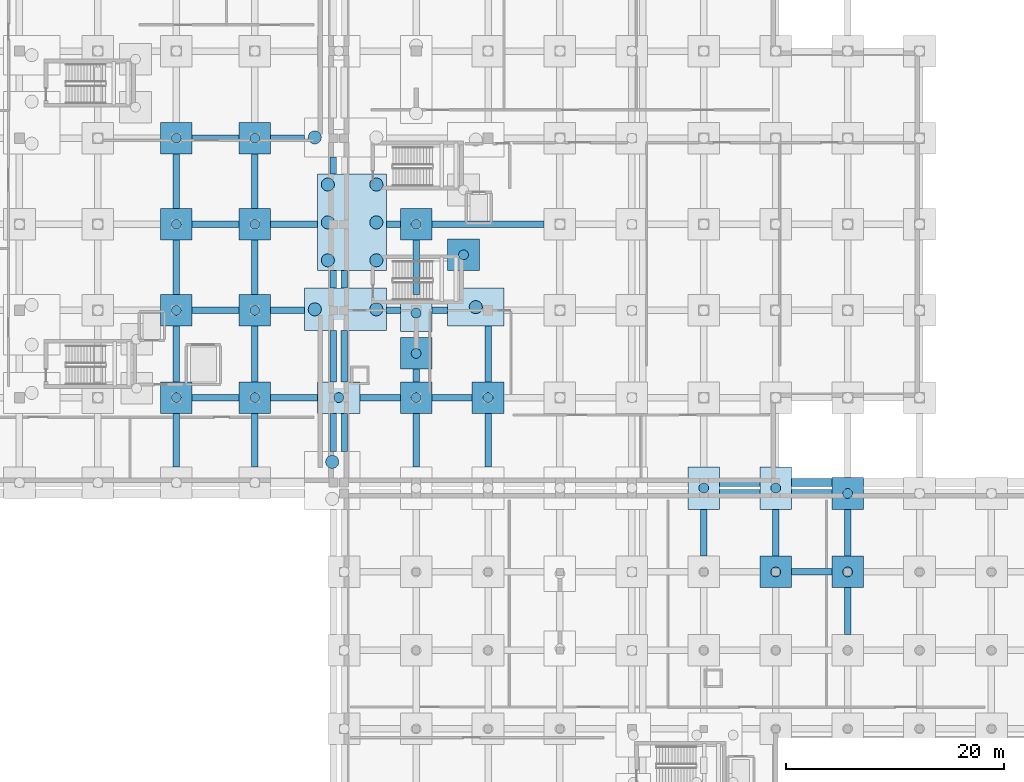
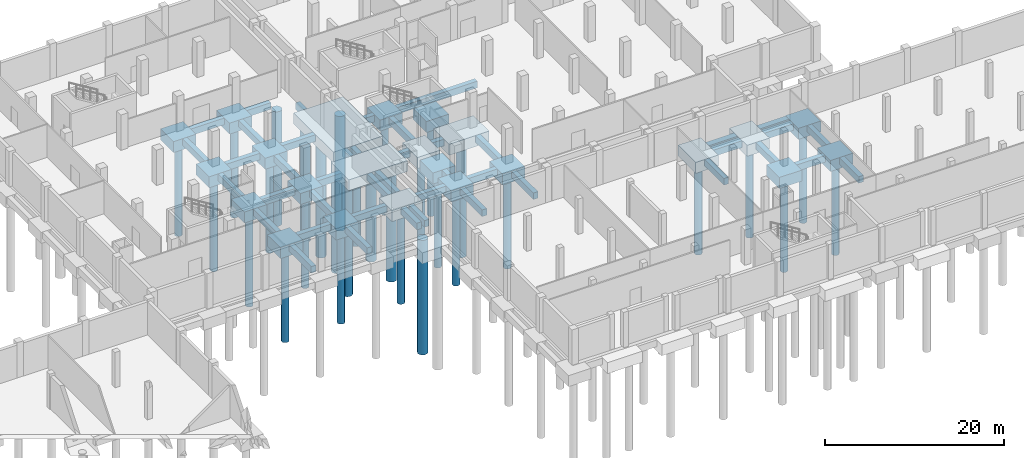
# One storey, part 5 of 29: 66 footings, 31 piles.
"""IFC4 building model written with IfcOpenShell, lengths in metres."""

from ifc_helpers import new_model, si_unit, direction, frame, origin, origin_2d, place, context, subcontext, project, spatial, polyline, rectangle, circle, outline, extrude, material, material_profile, profile_set, type_object, element, save


model = new_model("IFC4")

# Units and contexts
model_context = context("Model", 3, precision=1e-05, world=origin(), true_north=direction((0.0, 1.0)))
body_context = subcontext(model_context, "Body", "Model", "MODEL_VIEW")
ifc_project = project(units=[si_unit("LENGTHUNIT", "METRE"), si_unit("AREAUNIT", "SQUARE_METRE"), si_unit("VOLUMEUNIT", "CUBIC_METRE"), si_unit("PLANEANGLEUNIT", "RADIAN"), si_unit("MASSUNIT", "GRAM", prefix="KILO")], contexts=[model_context])

# Site, building, storey
site_placement = place(None, origin())
site = spatial("IfcSite", under=ifc_project, at=site_placement, CompositionType="ELEMENT")
building_placement = place(site_placement, origin())
building = spatial("IfcBuilding", under=site, at=building_placement, Name="Kelarvand Opera House", CompositionType="ELEMENT")
storey_placement = place(building_placement, frame((0.0, 0.0, -9.60009765625)))
storey = spatial("IfcBuildingStorey", under=building, at=storey_placement, Name="B2", CompositionType="ELEMENT", Elevation=-9.60009765625)

# Piles
ifc_material = material(Name="Concrete C40/50", Category="concrete")
ifc_material_profile_1 = material_profile(ifc_material, circle(Radius=0.60009765625, at=origin_2d()), Name="BP 1200", Category="concrete")
ifc_profile_set_1 = profile_set([ifc_material_profile_1], Name="Concrete C40/50")
pile_type_1 = type_object("IfcPileType", Name="Bored Pile 1200 Concrete C40/50", PredefinedType="BORED", material=ifc_profile_set_1)
for number, where, z_axis, x_axis, name in (
    (1, (87.89990234375, 40.699951171875, -1.7998046875), (0.0, 0.0, -1.0), (1.0, 0.0, 0.0), "V1 Bored Pile 98"),
    (2, (86.300048828125, 54.699951171875, -1.7998046875), (0.0, 0.0, -1.0), (1.0, 0.0, 0.0), "V1 Bored Pile 138"),
    (3, (91.949951171875, 54.699951171875, -1.7998046875), (0.0, 0.0, -1.0), (1.0, 0.0, 0.0), "V1 Bored Pile 139"),
    (4, (101.074951171875, 54.89990234375, -1.7998046875), (0.0, 0.0, -1.0), (1.0, 0.0, 0.0), "V1 Bored Pile 147"),
    (5, (87.5, 59.199951171875, -1.7998046875), (0.0, 0.0, -1.0), (1.0, 0.0, 0.0), "V1 Bored Pile 154"),
    (6, (87.5, 62.675048828125, -1.7998046875), (0.0, 0.0, -1.0), (1.0, 0.0, 0.0), "V1 Bored Pile 155"),
    (7, (87.5, 66.14990234375, -1.7998046875), (0.0, 0.0, -1.0), (1.0, 0.0, 0.0), "V1 Bored Pile 156"),
    (8, (91.949951171875, 59.199951171875, -1.7998046875), (0.0, 0.0, -1.0), (1.0, 0.0, 0.0), "V1 Bored Pile 157"),
    (9, (91.949951171875, 62.675048828125, -1.7998046875), (0.0, 0.0, -1.0), (1.0, 0.0, 0.0), "V1 Bored Pile 158"),
    (10, (91.949951171875, 66.14990234375, -1.7998046875), (0.0, 0.0, -1.0), (1.0, 0.0, 0.0), "V1 Bored Pile 159"),
    (11, (86.300048828125, 70.47509765625, -1.7998046875), (0.0, 0.0, -1.0), (1.0, 0.0, 0.0), "V1 Bored Pile 177"),
):
    element("IfcPile", number, at=place(storey_placement, frame(where, z_axis=z_axis, x_axis=x_axis)), inside=storey, type_object=pile_type_1, Name=name, PredefinedType="BORED", context=body_context, shape_type="SweptSolid", body=[
        extrude(circle(Radius=0.60009765625, at=origin_2d()), origin(), (0.0, 0.0, 1.0), 15.60009765625),
    ])
ifc_material_profile_2 = material_profile(ifc_material, circle(Radius=0.449951171875, at=origin_2d()), Name="BP 900", Category="concrete")
ifc_profile_set_2 = profile_set([ifc_material_profile_2], Name="Concrete C40/50")
pile_type_2 = type_object("IfcPileType", Name="Bored Pile 900 Concrete C40/50", PredefinedType="BORED", material=ifc_profile_set_2)
for number, where, z_axis, x_axis, name in (
    (12, (128.60009765625, 30.60009765625, -1.7998046875), (0.0, 0.0, -1.0), (1.0, 0.0, 0.0), "V6 Bored Pile 83"),
    (13, (135.199951171875, 30.60009765625, -1.7998046875), (0.0, 0.0, -1.0), (1.0, 0.0, 0.0), "V6 Bored Pile 84"),
    (14, (122.0, 38.300048828125, -1.7998046875), (0.0, 0.0, -1.0), (1.0, 0.0, 0.0), "V1 Bored Pile 103"),
    (15, (128.60009765625, 38.300048828125, -1.7998046875), (0.0, 0.0, -1.0), (1.0, 0.0, 0.0), "V1 Bored Pile 104"),
    (16, (135.199951171875, 37.800048828125, -1.7998046875), (0.0, 0.0, -1.0), (1.0, 0.0, 0.0), "V6 Bored Pile 105"),
    (17, (73.60009765625, 46.60009765625, -1.7998046875), (0.0, 0.0, -1.0), (1.0, 0.0, 0.0), "V2 Bored Pile 121"),
    (18, (80.800048828125, 46.60009765625, -1.7998046875), (0.0, 0.0, -1.0), (1.0, 0.0, 0.0), "V2 Bored Pile 122"),
    (19, (88.5, 46.60009765625, -1.7998046875), (0.0, 0.0, -1.0), (1.0, 0.0, 0.0), "V1 Bored Pile 123"),
    (20, (95.60009765625, 46.60009765625, -1.7998046875), (0.0, 0.0, -1.0), (1.0, 0.0, 0.0), "V1 Bored Pile 124"),
    (21, (102.199951171875, 46.60009765625, -1.7998046875), (0.0, 0.0, -1.0), (1.0, 0.0, 0.0), "V1 Bored Pile 125"),
    (22, (95.60009765625, 50.64990234375, -1.7998046875), (0.0, 0.0, -1.0), (1.0, 0.0, 0.0), "V1 Bored Pile 133"),
    (23, (95.60009765625, 54.360107421875, -1.7998046875), (0.0, 0.0, -1.0), (1.0, 0.0, 0.0), "V1 Bored Pile 137"),
    (24, (73.60009765625, 54.60009765625, -1.7998046875), (0.0, 0.0, -1.0), (1.0, 0.0, 0.0), "V2 Bored Pile 145"),
    (25, (80.800048828125, 54.60009765625, -1.7998046875), (0.0, 0.0, -1.0), (1.0, 0.0, 0.0), "V2 Bored Pile 146"),
    (26, (99.949951171875, 59.699951171875, -1.7998046875), (0.0, 0.0, -1.0), (1.0, 0.0, 0.0), "V1 Bored Pile 160"),
    (27, (73.60009765625, 62.5, -1.7998046875), (0.0, 0.0, -1.0), (1.0, 0.0, 0.0), "V2 Bored Pile 167"),
    (28, (80.800048828125, 62.5, -1.7998046875), (0.0, 0.0, -1.0), (1.0, 0.0, 0.0), "V2 Bored Pile 168"),
    (29, (95.60009765625, 62.5, -1.7998046875), (0.0, 0.0, -1.0), (1.0, 0.0, 0.0), "V1 Bored Pile 169"),
    (30, (73.60009765625, 70.39990234375, -1.7998046875), (0.0, 0.0, -1.0), (1.0, 0.0, 0.0), "V2 Bored Pile 187"),
    (31, (80.800048828125, 70.39990234375, -1.7998046875), (0.0, 0.0, -1.0), (1.0, 0.0, 0.0), "V2 Bored Pile 188"),
):
    element("IfcPile", number, at=place(storey_placement, frame(where, z_axis=z_axis, x_axis=x_axis)), inside=storey, type_object=pile_type_2, Name=name, PredefinedType="BORED", context=body_context, shape_type="SweptSolid", body=[
        extrude(circle(Radius=0.449951171875, at=origin_2d()), origin(), (0.0, 0.0, 1.0), 12.60009765625),
    ])

# Footings
footing_type_1 = type_object("IfcFootingType", Name="Ground Tie Beam 600x900 Concrete C40/50", PredefinedType="FOOTING_BEAM", material=ifc_material)
footing_1_placement = place(storey_placement, frame((0.0, 0.0, -1.2998046875)))
element("IfcFooting", 32, at=footing_1_placement, inside=storey, type_object=footing_type_1, Name="Ground Beam 63", PredefinedType="FOOTING_BEAM", context=body_context, shape_type="SweptSolid", body=[
    extrude(outline(polyline([(130.050048828125, 30.300048828125), (133.75, 30.300048828125), (133.75, 30.89990234375), (130.050048828125, 30.89990234375), (130.050048828125, 30.300048828125)])), origin(), (0.0, 0.0, 1.0), 0.89990234375),
])
footing_2_placement = place(storey_placement, frame((0.0, 0.0, -1.2998046875)))
element("IfcFooting", 33, at=footing_2_placement, inside=storey, type_object=footing_type_1, Name="Ground Beam 117", PredefinedType="FOOTING_BEAM", context=body_context, shape_type="SweptSolid", body=[
    extrude(outline(polyline([(75.050048828125, 46.300048828125), (79.35009765625, 46.300048828125), (79.35009765625, 46.89990234375), (75.050048828125, 46.89990234375), (75.050048828125, 46.300048828125)])), origin(), (0.0, 0.0, 1.0), 0.89990234375),
])
footing_3_placement = place(storey_placement, frame((0.0, 0.0, -1.2998046875)))
element("IfcFooting", 34, at=footing_3_placement, inside=storey, type_object=footing_type_1, Name="Ground Beam 118", PredefinedType="FOOTING_BEAM", context=body_context, shape_type="SweptSolid", body=[
    extrude(outline(polyline([(82.25, 46.300048828125), (86.550048828125, 46.300048828125), (86.550048828125, 46.89990234375), (82.25, 46.89990234375), (82.25, 46.300048828125)])), origin(), (0.0, 0.0, 1.0), 0.89990234375),
])
footing_4_placement = place(storey_placement, frame((0.0, 0.0, -1.2998046875)))
element("IfcFooting", 35, at=footing_4_placement, inside=storey, type_object=footing_type_1, Name="Ground Beam 119", PredefinedType="FOOTING_BEAM", context=body_context, shape_type="SweptSolid", body=[
    extrude(outline(polyline([(90.449951171875, 46.300048828125), (94.14990234375, 46.300048828125), (94.14990234375, 46.89990234375), (90.449951171875, 46.89990234375), (90.449951171875, 46.300048828125)])), origin(), (0.0, 0.0, 1.0), 0.89990234375),
])
footing_5_placement = place(storey_placement, frame((0.0, 0.0, -1.2998046875)))
element("IfcFooting", 36, at=footing_5_placement, inside=storey, type_object=footing_type_1, Name="Ground Beam 120", PredefinedType="FOOTING_BEAM", context=body_context, shape_type="SweptSolid", body=[
    extrude(outline(polyline([(97.050048828125, 46.300048828125), (100.75, 46.300048828125), (100.75, 46.89990234375), (97.050048828125, 46.89990234375), (97.050048828125, 46.300048828125)])), origin(), (0.0, 0.0, 1.0), 0.89990234375),
])
footing_6_placement = place(storey_placement, frame((0.0, 0.0, -1.2998046875)))
element("IfcFooting", 37, at=footing_6_placement, inside=storey, type_object=footing_type_1, Name="Ground Beam 132", PredefinedType="FOOTING_BEAM", context=body_context, shape_type="SweptSolid", body=[
    extrude(outline(polyline([(75.050048828125, 54.300048828125), (79.35009765625, 54.300048828125), (79.35009765625, 54.89990234375), (75.050048828125, 54.89990234375), (75.050048828125, 54.300048828125)])), origin(), (0.0, 0.0, 1.0), 0.89990234375),
])
footing_7_placement = place(storey_placement, frame((0.0, 0.0, -1.2998046875)))
element("IfcFooting", 38, at=footing_7_placement, inside=storey, type_object=footing_type_1, Name="Ground Beam 133", PredefinedType="FOOTING_BEAM", context=body_context, shape_type="SweptSolid", body=[
    extrude(outline(polyline([(82.25, 54.300048828125), (85.35009765625, 54.300048828125), (85.35009765625, 54.89990234375), (82.25, 54.89990234375), (82.25, 54.300048828125)])), origin(), (0.0, 0.0, 1.0), 0.89990234375),
])
footing_8_placement = place(storey_placement, frame((0.0, 0.0, -1.2998046875)))
element("IfcFooting", 39, at=footing_8_placement, inside=storey, type_object=footing_type_1, Name="Ground Beam 134", PredefinedType="FOOTING_BEAM", context=body_context, shape_type="SweptSolid", body=[
    extrude(outline(polyline([(92.89990234375, 54.300048828125), (94.14990234375, 54.300048828125), (94.14990234375, 54.89990234375), (92.89990234375, 54.89990234375), (92.89990234375, 54.300048828125)])), origin(), (0.0, 0.0, 1.0), 0.89990234375),
])
footing_9_placement = place(storey_placement, frame((0.0, 0.0, -1.2998046875)))
element("IfcFooting", 40, at=footing_9_placement, inside=storey, type_object=footing_type_1, Name="Ground Beam 135", PredefinedType="FOOTING_BEAM", context=body_context, shape_type="SweptSolid", body=[
    extrude(outline(polyline([(97.050048828125, 54.300048828125), (98.5, 54.300048828125), (98.5, 54.89990234375), (97.050048828125, 54.89990234375), (97.050048828125, 54.300048828125)])), origin(), (0.0, 0.0, 1.0), 0.89990234375),
])
footing_10_placement = place(storey_placement, frame((0.0, 0.0, -1.2998046875)))
element("IfcFooting", 41, at=footing_10_placement, inside=storey, type_object=footing_type_1, Name="Ground Beam 147", PredefinedType="FOOTING_BEAM", context=body_context, shape_type="SweptSolid", body=[
    extrude(outline(polyline([(75.050048828125, 62.199951171875), (79.35009765625, 62.199951171875), (79.35009765625, 62.800048828125), (75.050048828125, 62.800048828125), (75.050048828125, 62.199951171875)])), origin(), (0.0, 0.0, 1.0), 0.89990234375),
])
footing_11_placement = place(storey_placement, frame((0.0, 0.0, -1.2998046875)))
element("IfcFooting", 42, at=footing_11_placement, inside=storey, type_object=footing_type_1, Name="Ground Beam 148", PredefinedType="FOOTING_BEAM", context=body_context, shape_type="SweptSolid", body=[
    extrude(outline(polyline([(82.25, 62.199951171875), (86.550048828125, 62.199951171875), (86.550048828125, 62.800048828125), (82.25, 62.800048828125), (82.25, 62.199951171875)])), origin(), (0.0, 0.0, 1.0), 0.89990234375),
])
footing_12_placement = place(storey_placement, frame((0.0, 0.0, -1.2998046875)))
element("IfcFooting", 43, at=footing_12_placement, inside=storey, type_object=footing_type_1, Name="Ground Beam 149", PredefinedType="FOOTING_BEAM", context=body_context, shape_type="SweptSolid", body=[
    extrude(outline(polyline([(92.89990234375, 62.199951171875), (94.14990234375, 62.199951171875), (94.14990234375, 62.800048828125), (92.89990234375, 62.800048828125), (92.89990234375, 62.199951171875)])), origin(), (0.0, 0.0, 1.0), 0.89990234375),
])
footing_13_placement = place(storey_placement, frame((0.0, 0.0, -1.2998046875)))
element("IfcFooting", 44, at=footing_13_placement, inside=storey, type_object=footing_type_1, Name="Ground Beam 150", PredefinedType="FOOTING_BEAM", context=body_context, shape_type="SweptSolid", body=[
    extrude(outline(polyline([(97.050048828125, 62.199951171875), (107.35009765625, 62.199951171875), (107.35009765625, 62.800048828125), (97.050048828125, 62.800048828125), (97.050048828125, 62.199951171875)])), origin(), (0.0, 0.0, 1.0), 0.89990234375),
])
footing_14_placement = place(storey_placement, frame((0.0, 0.0, -1.2998046875)))
element("IfcFooting", 45, at=footing_14_placement, inside=storey, type_object=footing_type_1, Name="Ground Beam 161", PredefinedType="FOOTING_BEAM", context=body_context, shape_type="SweptSolid", body=[
    extrude(outline(polyline([(75.050048828125, 70.10009765625), (79.35009765625, 70.10009765625), (79.35009765625, 70.699951171875), (75.050048828125, 70.699951171875), (75.050048828125, 70.10009765625)])), origin(), (0.0, 0.0, 1.0), 0.89990234375),
])
footing_15_placement = place(storey_placement, frame((0.0, 0.0, -1.2998046875)))
element("IfcFooting", 46, at=footing_15_placement, inside=storey, type_object=footing_type_1, Name="Ground Beam 162", PredefinedType="FOOTING_BEAM", context=body_context, shape_type="SweptSolid", body=[
    extrude(outline(polyline([(82.25, 70.10009765625), (85.35009765625, 70.10009765625), (85.35009765625, 70.699951171875), (82.25, 70.699951171875), (82.25, 70.10009765625)])), origin(), (0.0, 0.0, 1.0), 0.89990234375),
])
footing_16_placement = place(storey_placement, frame((0.0, 0.0, -1.2998046875)))
element("IfcFooting", 47, at=footing_16_placement, inside=storey, type_object=footing_type_1, Name="Ground Beam 361", PredefinedType="FOOTING_BEAM", context=body_context, shape_type="SweptSolid", body=[
    extrude(outline(polyline([(73.300048828125, 40.25), (73.89990234375, 40.25), (73.89990234375, 45.14990234375), (73.300048828125, 45.14990234375), (73.300048828125, 40.25)])), origin(), (0.0, 0.0, 1.0), 0.89990234375),
])
footing_17_placement = place(storey_placement, frame((0.0, 0.0, -1.2998046875)))
element("IfcFooting", 48, at=footing_17_placement, inside=storey, type_object=footing_type_1, Name="Ground Beam 362", PredefinedType="FOOTING_BEAM", context=body_context, shape_type="SweptSolid", body=[
    extrude(outline(polyline([(73.300048828125, 48.050048828125), (73.89990234375, 48.050048828125), (73.89990234375, 53.14990234375), (73.300048828125, 53.14990234375), (73.300048828125, 48.050048828125)])), origin(), (0.0, 0.0, 1.0), 0.89990234375),
])
footing_18_placement = place(storey_placement, frame((0.0, 0.0, -1.2998046875)))
element("IfcFooting", 49, at=footing_18_placement, inside=storey, type_object=footing_type_1, Name="Ground Beam 363", PredefinedType="FOOTING_BEAM", context=body_context, shape_type="SweptSolid", body=[
    extrude(outline(polyline([(73.300048828125, 56.050048828125), (73.89990234375, 56.050048828125), (73.89990234375, 61.050048828125), (73.300048828125, 61.050048828125), (73.300048828125, 56.050048828125)])), origin(), (0.0, 0.0, 1.0), 0.89990234375),
])
footing_19_placement = place(storey_placement, frame((0.0, 0.0, -1.2998046875)))
element("IfcFooting", 50, at=footing_19_placement, inside=storey, type_object=footing_type_1, Name="Ground Beam 364", PredefinedType="FOOTING_BEAM", context=body_context, shape_type="SweptSolid", body=[
    extrude(outline(polyline([(73.300048828125, 63.949951171875), (73.89990234375, 63.949951171875), (73.89990234375, 68.949951171875), (73.300048828125, 68.949951171875), (73.300048828125, 63.949951171875)])), origin(), (0.0, 0.0, 1.0), 0.89990234375),
])
footing_20_placement = place(storey_placement, frame((0.0, 0.0, -1.2998046875)))
element("IfcFooting", 51, at=footing_20_placement, inside=storey, type_object=footing_type_1, Name="Ground Beam 367", PredefinedType="FOOTING_BEAM", context=body_context, shape_type="SweptSolid", body=[
    extrude(outline(polyline([(80.5, 40.25), (81.10009765625, 40.25), (81.10009765625, 45.14990234375), (80.5, 45.14990234375), (80.5, 40.25)])), origin(), (0.0, 0.0, 1.0), 0.89990234375),
])
footing_21_placement = place(storey_placement, frame((0.0, 0.0, -1.2998046875)))
element("IfcFooting", 52, at=footing_21_placement, inside=storey, type_object=footing_type_1, Name="Ground Beam 368", PredefinedType="FOOTING_BEAM", context=body_context, shape_type="SweptSolid", body=[
    extrude(outline(polyline([(80.5, 48.050048828125), (81.10009765625, 48.050048828125), (81.10009765625, 53.14990234375), (80.5, 53.14990234375), (80.5, 48.050048828125)])), origin(), (0.0, 0.0, 1.0), 0.89990234375),
])
footing_22_placement = place(storey_placement, frame((0.0, 0.0, -1.2998046875)))
element("IfcFooting", 53, at=footing_22_placement, inside=storey, type_object=footing_type_1, Name="Ground Beam 369", PredefinedType="FOOTING_BEAM", context=body_context, shape_type="SweptSolid", body=[
    extrude(outline(polyline([(80.5, 56.050048828125), (81.10009765625, 56.050048828125), (81.10009765625, 61.050048828125), (80.5, 61.050048828125), (80.5, 56.050048828125)])), origin(), (0.0, 0.0, 1.0), 0.89990234375),
])
footing_23_placement = place(storey_placement, frame((0.0, 0.0, -1.2998046875)))
element("IfcFooting", 54, at=footing_23_placement, inside=storey, type_object=footing_type_1, Name="Ground Beam 370", PredefinedType="FOOTING_BEAM", context=body_context, shape_type="SweptSolid", body=[
    extrude(outline(polyline([(80.5, 63.949951171875), (81.10009765625, 63.949951171875), (81.10009765625, 68.949951171875), (80.5, 68.949951171875), (80.5, 63.949951171875)])), origin(), (0.0, 0.0, 1.0), 0.89990234375),
])
footing_24_placement = place(storey_placement, frame((0.0, 0.0, -1.2998046875)))
element("IfcFooting", 55, at=footing_24_placement, inside=storey, type_object=footing_type_1, Name="Ground Beam 377", PredefinedType="FOOTING_BEAM", context=body_context, shape_type="SweptSolid", body=[
    extrude(outline(polyline([(87.699951171875, 41.64990234375), (88.300048828125, 41.64990234375), (88.300048828125, 45.14990234375), (87.699951171875, 45.14990234375), (87.699951171875, 41.64990234375)])), origin(), (0.0, 0.0, 1.0), 0.89990234375),
])
footing_25_placement = place(storey_placement, frame((0.0, 0.0, -1.2998046875)))
element("IfcFooting", 56, at=footing_25_placement, inside=storey, type_object=footing_type_1, Name="Ground Beam 378", PredefinedType="FOOTING_BEAM", context=body_context, shape_type="SweptSolid", body=[
    extrude(outline(polyline([(87.699951171875, 48.050048828125), (88.300048828125, 48.050048828125), (88.300048828125, 52.75), (87.699951171875, 52.75), (87.699951171875, 48.050048828125)])), origin(), (0.0, 0.0, 1.0), 0.89990234375),
])
footing_26_placement = place(storey_placement, frame((0.0, 0.0, -1.2998046875)))
element("IfcFooting", 57, at=footing_26_placement, inside=storey, type_object=footing_type_1, Name="Ground Beam 379", PredefinedType="FOOTING_BEAM", context=body_context, shape_type="SweptSolid", body=[
    extrude(outline(polyline([(87.699951171875, 56.64990234375), (88.300048828125, 56.64990234375), (88.300048828125, 58.25), (87.699951171875, 58.25), (87.699951171875, 56.64990234375)])), origin(), (0.0, 0.0, 1.0), 0.89990234375),
])
footing_27_placement = place(storey_placement, frame((0.0, 0.0, -1.2998046875)))
element("IfcFooting", 58, at=footing_27_placement, inside=storey, type_object=footing_type_1, Name="Ground Beam 380", PredefinedType="FOOTING_BEAM", context=body_context, shape_type="SweptSolid", body=[
    extrude(outline(polyline([(87.699951171875, 67.10009765625), (88.300048828125, 67.10009765625), (88.300048828125, 68.699951171875), (87.699951171875, 68.699951171875), (87.699951171875, 67.10009765625)])), origin(), (0.0, 0.0, 1.0), 0.89990234375),
])
footing_28_placement = place(storey_placement, frame((0.0, 0.0, -1.2998046875)))
element("IfcFooting", 59, at=footing_28_placement, inside=storey, type_object=footing_type_1, Name="Ground Beam 387", PredefinedType="FOOTING_BEAM", context=body_context, shape_type="SweptSolid", body=[
    extrude(outline(polyline([(88.699951171875, 41.64990234375), (89.300048828125, 41.64990234375), (89.300048828125, 45.14990234375), (88.699951171875, 45.14990234375), (88.699951171875, 41.64990234375)])), origin(), (0.0, 0.0, 1.0), 0.89990234375),
])
footing_29_placement = place(storey_placement, frame((0.0, 0.0, -1.2998046875)))
element("IfcFooting", 60, at=footing_29_placement, inside=storey, type_object=footing_type_1, Name="Ground Beam 388", PredefinedType="FOOTING_BEAM", context=body_context, shape_type="SweptSolid", body=[
    extrude(outline(polyline([(88.699951171875, 48.050048828125), (89.300048828125, 48.050048828125), (89.300048828125, 52.75), (88.699951171875, 52.75), (88.699951171875, 48.050048828125)])), origin(), (0.0, 0.0, 1.0), 0.89990234375),
])
footing_30_placement = place(storey_placement, frame((0.0, 0.0, -1.2998046875)))
element("IfcFooting", 61, at=footing_30_placement, inside=storey, type_object=footing_type_1, Name="Ground Beam 389", PredefinedType="FOOTING_BEAM", context=body_context, shape_type="SweptSolid", body=[
    extrude(outline(polyline([(88.699951171875, 56.64990234375), (89.300048828125, 56.64990234375), (89.300048828125, 58.25), (88.699951171875, 58.25), (88.699951171875, 56.64990234375)])), origin(), (0.0, 0.0, 1.0), 0.89990234375),
])
footing_31_placement = place(storey_placement, frame((0.0, 0.0, -1.2998046875)))
element("IfcFooting", 62, at=footing_31_placement, inside=storey, type_object=footing_type_1, Name="Ground Beam 397", PredefinedType="FOOTING_BEAM", context=body_context, shape_type="SweptSolid", body=[
    extrude(outline(polyline([(95.300048828125, 40.25), (95.89990234375, 40.25), (95.89990234375, 45.14990234375), (95.300048828125, 45.14990234375), (95.300048828125, 40.25)])), origin(), (0.0, 0.0, 1.0), 0.89990234375),
])
footing_32_placement = place(storey_placement, frame((0.0, 0.0, -1.2998046875)))
element("IfcFooting", 63, at=footing_32_placement, inside=storey, type_object=footing_type_1, Name="Ground Beam 398", PredefinedType="FOOTING_BEAM", context=body_context, shape_type="SweptSolid", body=[
    extrude(outline(polyline([(95.300048828125, 48.050048828125), (95.89990234375, 48.050048828125), (95.89990234375, 49.199951171875), (95.300048828125, 49.199951171875), (95.300048828125, 48.050048828125)])), origin(), (0.0, 0.0, 1.0), 0.89990234375),
])
footing_33_placement = place(storey_placement, frame((0.0, 0.0, -1.2998046875)))
element("IfcFooting", 64, at=footing_33_placement, inside=storey, type_object=footing_type_1, Name="Ground Beam 399", PredefinedType="FOOTING_BEAM", context=body_context, shape_type="SweptSolid", body=[
    extrude(outline(polyline([(95.300048828125, 56.050048828125), (95.89990234375, 56.050048828125), (95.89990234375, 61.050048828125), (95.300048828125, 61.050048828125), (95.300048828125, 56.050048828125)])), origin(), (0.0, 0.0, 1.0), 0.89990234375),
])
footing_34_placement = place(storey_placement, frame((0.0, 0.0, -1.2998046875)))
element("IfcFooting", 65, at=footing_34_placement, inside=storey, type_object=footing_type_1, Name="Ground Beam 409", PredefinedType="FOOTING_BEAM", context=body_context, shape_type="SweptSolid", body=[
    extrude(outline(polyline([(101.89990234375, 40.25), (102.5, 40.25), (102.5, 45.14990234375), (101.89990234375, 45.14990234375), (101.89990234375, 40.25)])), origin(), (0.0, 0.0, 1.0), 0.89990234375),
])
footing_35_placement = place(storey_placement, frame((0.0, 0.0, -1.2998046875)))
element("IfcFooting", 66, at=footing_35_placement, inside=storey, type_object=footing_type_1, Name="Ground Beam 410", PredefinedType="FOOTING_BEAM", context=body_context, shape_type="SweptSolid", body=[
    extrude(outline(polyline([(101.89990234375, 48.050048828125), (102.5, 48.050048828125), (102.5, 53.14990234375), (101.89990234375, 53.14990234375), (101.89990234375, 48.050048828125)])), origin(), (0.0, 0.0, 1.0), 0.89990234375),
])
footing_36_placement = place(storey_placement, frame((0.0, 0.0, -1.2998046875)))
element("IfcFooting", 67, at=footing_36_placement, inside=storey, type_object=footing_type_1, Name="Ground Beam 462", PredefinedType="FOOTING_BEAM", context=body_context, shape_type="SweptSolid", body=[
    extrude(outline(polyline([(121.699951171875, 32.050048828125), (122.300048828125, 32.050048828125), (122.300048828125, 36.35009765625), (121.699951171875, 36.35009765625), (121.699951171875, 32.050048828125)])), origin(), (0.0, 0.0, 1.0), 0.89990234375),
])
footing_37_placement = place(storey_placement, frame((0.0, 0.0, -1.2998046875)))
element("IfcFooting", 68, at=footing_37_placement, inside=storey, type_object=footing_type_1, Name="Ground Beam 476", PredefinedType="FOOTING_BEAM", context=body_context, shape_type="SweptSolid", body=[
    extrude(outline(polyline([(128.300048828125, 32.050048828125), (128.89990234375, 32.050048828125), (128.89990234375, 36.35009765625), (128.300048828125, 36.35009765625), (128.300048828125, 32.050048828125)])), origin(), (0.0, 0.0, 1.0), 0.89990234375),
])
footing_38_placement = place(storey_placement, frame((0.0, 0.0, -1.2998046875)))
element("IfcFooting", 69, at=footing_38_placement, inside=storey, type_object=footing_type_1, Name="Ground Beam 489", PredefinedType="FOOTING_BEAM", context=body_context, shape_type="SweptSolid", body=[
    extrude(outline(polyline([(134.89990234375, 24.85009765625), (135.5, 24.85009765625), (135.5, 29.14990234375), (134.89990234375, 29.14990234375), (134.89990234375, 24.85009765625)])), origin(), (0.0, 0.0, 1.0), 0.89990234375),
])
footing_39_placement = place(storey_placement, frame((0.0, 0.0, -1.2998046875)))
element("IfcFooting", 70, at=footing_39_placement, inside=storey, type_object=footing_type_1, Name="Ground Beam 490", PredefinedType="FOOTING_BEAM", context=body_context, shape_type="SweptSolid", body=[
    extrude(outline(polyline([(134.89990234375, 32.050048828125), (135.5, 32.050048828125), (135.5, 36.35009765625), (134.89990234375, 36.35009765625), (134.89990234375, 32.050048828125)])), origin(), (0.0, 0.0, 1.0), 0.89990234375),
])
footing_type_2 = type_object("IfcFootingType", Name="Perimeter Strip Footing 750x900 Concrete C40/50", PredefinedType="STRIP_FOOTING", material=ifc_material)
footing_40_placement = place(storey_placement, frame((0.0, 0.0, -1.2998046875)))
element("IfcFooting", 71, at=footing_40_placement, inside=storey, type_object=footing_type_2, Name="Ground Beam 84", PredefinedType="STRIP_FOOTING", context=body_context, shape_type="SweptSolid", body=[
    extrude(outline(polyline([(123.449951171875, 37.425048828125), (127.14990234375, 37.425048828125), (127.14990234375, 38.175048828125), (123.449951171875, 38.175048828125), (123.449951171875, 37.425048828125)])), origin(), (0.0, 0.0, 1.0), 0.89990234375),
])
footing_41_placement = place(storey_placement, frame((0.0, 0.0, -1.2998046875)))
element("IfcFooting", 72, at=footing_41_placement, inside=storey, type_object=footing_type_2, Name="Ground Beam 85", PredefinedType="STRIP_FOOTING", context=body_context, shape_type="SweptSolid", body=[
    extrude(outline(polyline([(130.050048828125, 37.425048828125), (133.75, 37.425048828125), (133.75, 38.175048828125), (130.050048828125, 38.175048828125), (130.050048828125, 37.425048828125)])), origin(), (0.0, 0.0, 1.0), 0.89990234375),
])
footing_42_placement = place(storey_placement, frame((0.0, 0.0, -1.2998046875)))
element("IfcFooting", 73, at=footing_42_placement, inside=storey, type_object=footing_type_2, Name="Ground Beam 106", PredefinedType="STRIP_FOOTING", context=body_context, shape_type="SweptSolid", body=[
    extrude(outline(polyline([(123.449951171875, 38.425048828125), (127.14990234375, 38.425048828125), (127.14990234375, 39.175048828125), (123.449951171875, 39.175048828125), (123.449951171875, 38.425048828125)])), origin(), (0.0, 0.0, 1.0), 0.89990234375),
])
footing_43_placement = place(storey_placement, frame((0.0, 0.0, -1.2998046875)))
element("IfcFooting", 74, at=footing_43_placement, inside=storey, type_object=footing_type_2, Name="Ground Beam 107", PredefinedType="STRIP_FOOTING", context=body_context, shape_type="SweptSolid", body=[
    extrude(outline(polyline([(130.050048828125, 38.425048828125), (133.75, 38.425048828125), (133.75, 39.175048828125), (130.050048828125, 39.175048828125), (130.050048828125, 38.425048828125)])), origin(), (0.0, 0.0, 1.0), 0.89990234375),
])
footing_type_3 = type_object("IfcFootingType", Name="Pile Cap 2900x2900x1500 PC-01", PredefinedType="PILE_CAP", material=ifc_material)
for number, where, z_axis, x_axis, name in (
    (75, (128.60009765625, 30.60009765625, -1.89990234375), (0.0, 0.0, 1.0), (1.0, 0.0, 0.0), "V6 Pile Cap PC-01 (77)"),
    (76, (135.199951171875, 30.60009765625, -1.89990234375), (0.0, 0.0, 1.0), (1.0, 0.0, 0.0), "V6 Pile Cap PC-01 (78)"),
    (77, (135.199951171875, 37.800048828125, -1.89990234375), (0.0, 0.0, 1.0), (1.0, 0.0, 0.0), "V6 Pile Cap PC-01 (98)"),
    (78, (73.60009765625, 46.60009765625, -1.89990234375), (0.0, 0.0, 1.0), (1.0, 0.0, 0.0), "V2 Pile Cap PC-01 (114)"),
    (79, (80.800048828125, 46.60009765625, -1.89990234375), (0.0, 0.0, 1.0), (1.0, 0.0, 0.0), "V2 Pile Cap PC-01 (115)"),
    (80, (95.60009765625, 46.60009765625, -1.89990234375), (0.0, 0.0, 1.0), (1.0, 0.0, 0.0), "V1 Pile Cap PC-01 (117)"),
    (81, (102.199951171875, 46.60009765625, -1.89990234375), (0.0, 0.0, 1.0), (1.0, 0.0, 0.0), "V1 Pile Cap PC-01 (118)"),
    (82, (95.60009765625, 50.64990234375, -1.89990234375), (0.0, 0.0, 1.0), (1.0, 0.0, 0.0), "V1 Pile Cap PC-01 (126)"),
    (83, (73.60009765625, 54.60009765625, -1.89990234375), (0.0, 0.0, 1.0), (1.0, 0.0, 0.0), "V2 Pile Cap PC-01 (136)"),
    (84, (80.800048828125, 54.60009765625, -1.89990234375), (0.0, 0.0, 1.0), (1.0, 0.0, 0.0), "V2 Pile Cap PC-01 (137)"),
    (85, (99.949951171875, 59.699951171875, -1.89990234375), (0.0, 0.0, 1.0), (1.0, 0.0, 0.0), "V1 Pile Cap PC-01 (146)"),
    (86, (73.60009765625, 62.5, -1.89990234375), (0.0, 0.0, 1.0), (1.0, 0.0, 0.0), "V2 Pile Cap PC-01 (153)"),
    (87, (80.800048828125, 62.5, -1.89990234375), (0.0, 0.0, 1.0), (1.0, 0.0, 0.0), "V2 Pile Cap PC-01 (154)"),
    (88, (95.60009765625, 62.5, -1.89990234375), (0.0, 0.0, 1.0), (1.0, 0.0, 0.0), "V1 Pile Cap PC-01 (155)"),
    (89, (73.60009765625, 70.39990234375, -1.89990234375), (0.0, 0.0, 1.0), (1.0, 0.0, 0.0), "V2 Pile Cap PC-01 (171)"),
    (90, (80.800048828125, 70.39990234375, -1.89990234375), (0.0, 0.0, 1.0), (1.0, 0.0, 0.0), "V2 Pile Cap PC-01 (172)"),
):
    element("IfcFooting", number, at=place(storey_placement, frame(where, z_axis=z_axis, x_axis=x_axis)), inside=storey, type_object=footing_type_3, Name=name, PredefinedType="PILE_CAP", context=body_context, shape_type="SweptSolid", body=[
        extrude(rectangle(XDim=2.89990234375, YDim=2.89990234375, at=origin_2d()), origin(), (0.0, 0.0, 1.0), 1.5),
    ])
footing_type_4 = type_object("IfcFootingType", Name="Pile Cap 2900x3380x1500 PC-16", PredefinedType="PILE_CAP", material=ifc_material)
footing_44_placement = place(storey_placement, frame((95.60009765625, 54.360107421875, -1.89990234375), z_axis=(0.0, 0.0, 1.0), x_axis=(1.0, 0.0, 0.0)))
element("IfcFooting", 91, at=footing_44_placement, inside=storey, type_object=footing_type_4, Name="V1 Pile Cap PC-16 (129)", PredefinedType="PILE_CAP", context=body_context, shape_type="SweptSolid", body=[
    extrude(rectangle(XDim=2.89990234375, YDim=3.3798828125, at=origin_2d()), origin(), (0.0, 0.0, 1.0), 1.5),
])
footing_type_5 = type_object("IfcFootingType", Name="Pile Cap 2900x3900x1500 PC-10", PredefinedType="PILE_CAP", material=ifc_material)
for number, where, z_axis, x_axis, name in (
    (92, (122.0, 38.300048828125, -1.89990234375), (0.0, 0.0, 1.0), (1.0, 0.0, 0.0), "V1 Pile Cap PC-10 (96)"),
    (93, (128.60009765625, 38.300048828125, -1.89990234375), (0.0, 0.0, 1.0), (1.0, 0.0, 0.0), "V1 Pile Cap PC-10 (97)"),
):
    element("IfcFooting", number, at=place(storey_placement, frame(where, z_axis=z_axis, x_axis=x_axis)), inside=storey, type_object=footing_type_5, Name=name, PredefinedType="PILE_CAP", context=body_context, shape_type="SweptSolid", body=[
        extrude(rectangle(XDim=2.89990234375, YDim=3.89990234375, at=origin_2d()), origin(), (0.0, 0.0, 1.0), 1.5),
    ])
footing_type_6 = type_object("IfcFootingType", Name="Pile Cap 3900x2900x1500 PC-14", PredefinedType="PILE_CAP", material=ifc_material)
footing_45_placement = place(storey_placement, frame((88.5, 46.60009765625, -1.89990234375), z_axis=(0.0, 0.0, 1.0), x_axis=(1.0, 0.0, 0.0)))
element("IfcFooting", 94, at=footing_45_placement, inside=storey, type_object=footing_type_6, Name="V1 Pile Cap PC-14 (116)", PredefinedType="PILE_CAP", context=body_context, shape_type="SweptSolid", body=[
    extrude(rectangle(XDim=3.89990234375, YDim=2.89990234375, at=origin_2d()), origin(), (0.0, 0.0, 1.0), 1.5),
])
footing_type_7 = type_object("IfcFootingType", Name="Pile Cap 5150x3500x1500 PC-18", PredefinedType="PILE_CAP", material=ifc_material)
footing_46_placement = place(storey_placement, frame((101.074951171875, 54.89990234375, -1.89990234375), z_axis=(0.0, 0.0, 1.0), x_axis=(1.0, 0.0, 0.0)))
element("IfcFooting", 95, at=footing_46_placement, inside=storey, type_object=footing_type_7, Name="V1 Pile Cap PC-18 (138)", PredefinedType="PILE_CAP", context=body_context, shape_type="SweptSolid", body=[
    extrude(rectangle(XDim=5.14990234375, YDim=3.5, at=origin_2d()), origin(), (0.0, 0.0, 1.0), 1.5),
])
footing_type_8 = type_object("IfcFootingType", Name="Pile Cap 6350x8850x1500 PC-19", PredefinedType="PILE_CAP", material=ifc_material)
footing_47_placement = place(storey_placement, frame((89.72509765625, 62.675048828125, -1.89990234375), z_axis=(0.0, 0.0, 1.0), x_axis=(1.0, 0.0, 0.0)))
element("IfcFooting", 96, at=footing_47_placement, inside=storey, type_object=footing_type_8, Name="V1 Pile Cap PC-19 (145)", PredefinedType="PILE_CAP", context=body_context, shape_type="SweptSolid", body=[
    extrude(rectangle(XDim=6.35009765625, YDim=8.85009765625, at=origin_2d()), origin(), (0.0, 0.0, 1.0), 1.5),
])
footing_type_9 = type_object("IfcFootingType", Name="Pile Cap 7550x3900x1500 PC-17", PredefinedType="PILE_CAP", material=ifc_material)
footing_48_placement = place(storey_placement, frame((89.125, 54.699951171875, -1.89990234375), z_axis=(0.0, 0.0, 1.0), x_axis=(1.0, 0.0, 0.0)))
element("IfcFooting", 97, at=footing_48_placement, inside=storey, type_object=footing_type_9, Name="V1 Pile Cap PC-17 (130)", PredefinedType="PILE_CAP", context=body_context, shape_type="SweptSolid", body=[
    extrude(rectangle(XDim=7.550048828125, YDim=3.89990234375, at=origin_2d()), origin(), (0.0, 0.0, 1.0), 1.5),
])

save(model, "model.ifc")
